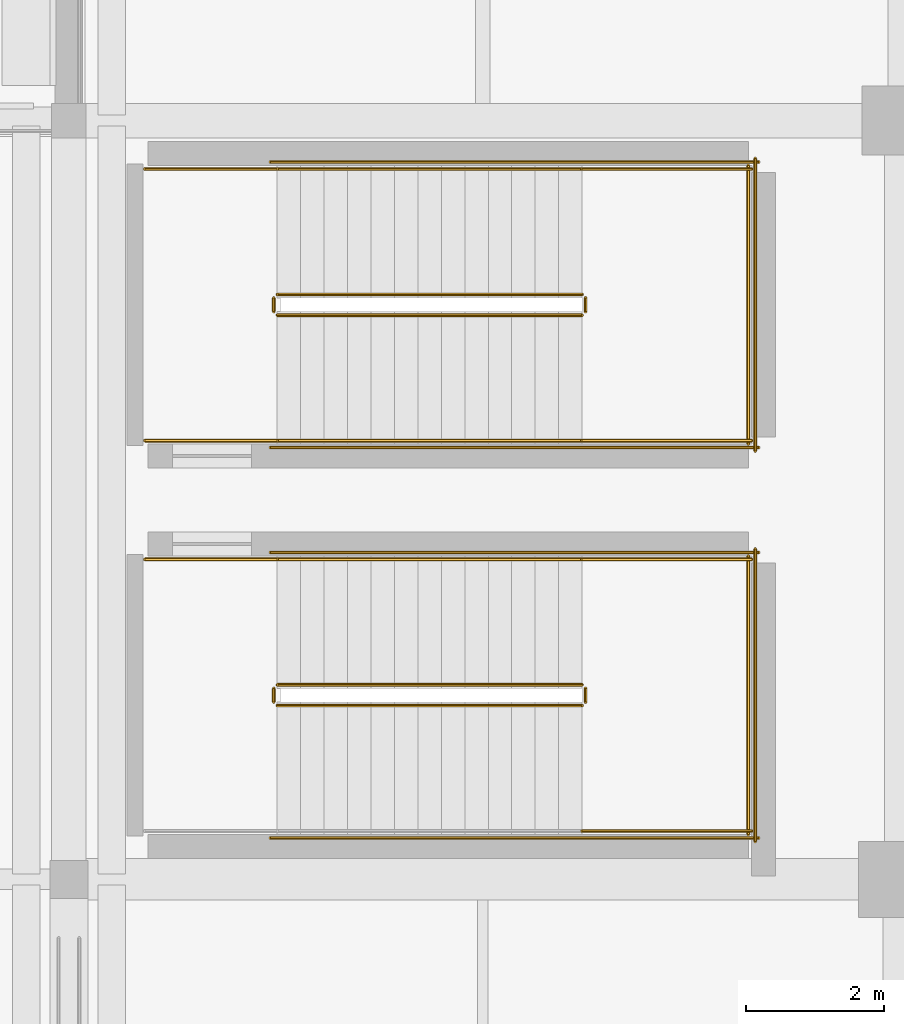
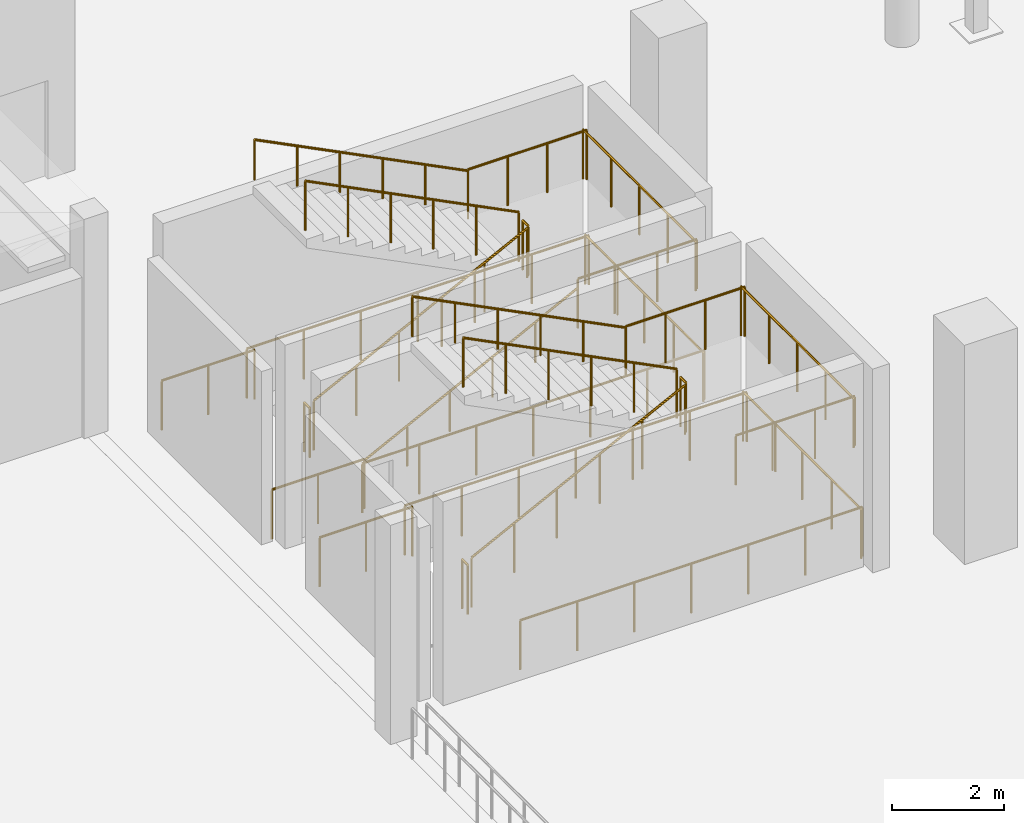
# One storey, part 122 of 143: 26 railings.
"""IFC4 building model written with IfcOpenShell, lengths in metres."""

from ifc_helpers import new_model, si_unit, direction, frame, origin, origin_2d, place, context, subcontext, project, spatial, circle, extrude, material, type_object, element, save


model = new_model("IFC4")

# Units and contexts
model_context = context("Model", 3, precision=1e-05, world=origin(), true_north=direction((0.0, 1.0)))
body_context = subcontext(model_context, "Body", "Model", "MODEL_VIEW")
ifc_project = project(units=[si_unit("LENGTHUNIT", "METRE"), si_unit("AREAUNIT", "SQUARE_METRE"), si_unit("VOLUMEUNIT", "CUBIC_METRE"), si_unit("PLANEANGLEUNIT", "RADIAN"), si_unit("MASSUNIT", "GRAM", prefix="KILO")], contexts=[model_context])

# Site, building, storey
site_placement = place(None, origin())
site = spatial("IfcSite", under=ifc_project, at=site_placement, CompositionType="ELEMENT")
building_placement = place(site_placement, origin())
building = spatial("IfcBuilding", under=site, at=building_placement, Name="Luwafu Chhajja Arena", CompositionType="ELEMENT")
storey_placement = place(building_placement, frame((0.0, 0.0, 5.39990234375)))
storey = spatial("IfcBuildingStorey", under=building, at=storey_placement, Name="L01", CompositionType="ELEMENT", Elevation=5.39990234375)

# Railings
ifc_material_1 = material(Name="Stainless steel handrail", Category="steel")
railing_type_1 = type_object("IfcRailingType", Name="Stair Pitch Wall Handrail 920", PredefinedType="HANDRAIL", material=ifc_material_1)
railing_1_placement = place(storey_placement, frame((41.43994140625, 48.639892578125, 2.571533203125)))
element("IfcRailing", 1, at=railing_1_placement, inside=storey, type_object=railing_type_1, Name="L01 ST-09 stair handrail 2", PredefinedType="HANDRAIL", context=body_context, shape_type="SweptSolid", body=[
    extrude(circle(Radius=0.02392578125, at=origin_2d()), frame((0.0, 0.0, 0.8759765625), z_axis=(-0.89292277971, 0.0, 0.450209850486), x_axis=(0.0, -1.0, 0.0)), (0.0, 0.0, 1.0), 4.949951171875),
    extrude(circle(Radius=0.02099609375, at=origin_2d()), origin(), (0.0, 0.0, 1.0), 0.851806640625),
    extrude(circle(Radius=0.02099609375, at=origin_2d()), frame((-0.884033203125, 0.0, 0.44580078125)), (0.0, 0.0, 1.0), 0.851806640625),
    extrude(circle(Radius=0.02099609375, at=origin_2d()), frame((-1.76806640625, 0.0, 0.891357421875)), (0.0, 0.0, 1.0), 0.851806640625),
    extrude(circle(Radius=0.02099609375, at=origin_2d()), frame((-2.65185546875, 0.0, 1.337158203125)), (0.0, 0.0, 1.0), 0.851806640625),
    extrude(circle(Radius=0.02099609375, at=origin_2d()), frame((-3.535888671875, 0.0, 1.78271484375)), (0.0, 0.0, 1.0), 0.851806640625),
    extrude(circle(Radius=0.02099609375, at=origin_2d()), frame((-4.419921875, 0.0, 2.228515625)), (0.0, 0.0, 1.0), 0.851806640625),
])
railing_2_placement = place(storey_placement, frame((37.02001953125, 50.360107421875, 0.171630859375)))
element("IfcRailing", 2, at=railing_2_placement, inside=storey, type_object=railing_type_1, Name="L01 ST-10 stair handrail 1", PredefinedType="HANDRAIL", context=body_context, shape_type="SweptSolid", body=[
    extrude(circle(Radius=0.02392578125, at=origin_2d()), frame((0.0, 0.0, 0.8759765625), z_axis=(0.89292277971, 0.0, 0.450209850486), x_axis=(0.0, 1.0, 0.0)), (0.0, 0.0, 1.0), 4.949951171875),
    extrude(circle(Radius=0.02099609375, at=origin_2d()), origin(), (0.0, 0.0, 1.0), 0.851806640625),
    extrude(circle(Radius=0.02099609375, at=origin_2d()), frame((0.884033203125, 0.0, 0.44580078125)), (0.0, 0.0, 1.0), 0.851806640625),
    extrude(circle(Radius=0.02099609375, at=origin_2d()), frame((1.76806640625, 0.0, 0.891357421875)), (0.0, 0.0, 1.0), 0.851806640625),
    extrude(circle(Radius=0.02099609375, at=origin_2d()), frame((2.65185546875, 0.0, 1.337158203125)), (0.0, 0.0, 1.0), 0.851806640625),
    extrude(circle(Radius=0.02099609375, at=origin_2d()), frame((3.535888671875, 0.0, 1.78271484375)), (0.0, 0.0, 1.0), 0.851806640625),
    extrude(circle(Radius=0.02099609375, at=origin_2d()), frame((4.419921875, 0.0, 2.228515625)), (0.0, 0.0, 1.0), 0.851806640625),
])
railing_3_placement = place(storey_placement, frame((41.43994140625, 54.300048828125, 2.571533203125)))
element("IfcRailing", 3, at=railing_3_placement, inside=storey, type_object=railing_type_1, Name="L01 ST-10 stair handrail 2", PredefinedType="HANDRAIL", context=body_context, shape_type="SweptSolid", body=[
    extrude(circle(Radius=0.02392578125, at=origin_2d()), frame((0.0, 0.0, 0.8759765625), z_axis=(-0.89292277971, 0.0, 0.450209850486), x_axis=(0.0, -1.0, 0.0)), (0.0, 0.0, 1.0), 4.949951171875),
    extrude(circle(Radius=0.02099609375, at=origin_2d()), origin(), (0.0, 0.0, 1.0), 0.851806640625),
    extrude(circle(Radius=0.02099609375, at=origin_2d()), frame((-0.884033203125, 0.0, 0.44580078125)), (0.0, 0.0, 1.0), 0.851806640625),
    extrude(circle(Radius=0.02099609375, at=origin_2d()), frame((-1.76806640625, 0.0, 0.891357421875)), (0.0, 0.0, 1.0), 0.851806640625),
    extrude(circle(Radius=0.02099609375, at=origin_2d()), frame((-2.65185546875, 0.0, 1.337158203125)), (0.0, 0.0, 1.0), 0.851806640625),
    extrude(circle(Radius=0.02099609375, at=origin_2d()), frame((-3.535888671875, 0.0, 1.78271484375)), (0.0, 0.0, 1.0), 0.851806640625),
    extrude(circle(Radius=0.02099609375, at=origin_2d()), frame((-4.419921875, 0.0, 2.228515625)), (0.0, 0.0, 1.0), 0.851806640625),
])
ifc_material_2 = material(Name="Stainless steel balustrade", Category="steel")
railing_type_2 = type_object("IfcRailingType", Name="Stair and Terrace Guard Balustrade 1100", PredefinedType="BALUSTRADE", material=ifc_material_2)
railing_4_placement = place(storey_placement, frame((37.02001953125, 46.52001953125, 0.171630859375)))
element("IfcRailing", 4, at=railing_4_placement, inside=storey, type_object=railing_type_2, Name="L01 ST-09 stair guard 1", PredefinedType="BALUSTRADE", context=body_context, shape_type="SweptSolid", body=[
    extrude(circle(Radius=0.02392578125, at=origin_2d()), frame((0.0, 0.0, 1.076171875), z_axis=(0.89292277971, 0.0, 0.450209850486), x_axis=(0.0, 1.0, 0.0)), (0.0, 0.0, 1.0), 4.949951171875),
    extrude(circle(Radius=0.02099609375, at=origin_2d()), origin(), (0.0, 0.0, 1.0), 1.052001953125),
    extrude(circle(Radius=0.02099609375, at=origin_2d()), frame((0.884033203125, 0.0, 0.44580078125)), (0.0, 0.0, 1.0), 1.052001953125),
    extrude(circle(Radius=0.02099609375, at=origin_2d()), frame((1.76806640625, 0.0, 0.891357421875)), (0.0, 0.0, 1.0), 1.052001953125),
    extrude(circle(Radius=0.02099609375, at=origin_2d()), frame((2.65185546875, 0.0, 1.337158203125)), (0.0, 0.0, 1.0), 1.052001953125),
    extrude(circle(Radius=0.02099609375, at=origin_2d()), frame((3.535888671875, 0.0, 1.78271484375)), (0.0, 0.0, 1.0), 1.052001953125),
    extrude(circle(Radius=0.02099609375, at=origin_2d()), frame((4.419921875, 0.0, 2.228515625)), (0.0, 0.0, 1.0), 1.052001953125),
])
railing_5_placement = place(storey_placement, frame((41.489990234375, 46.570068359375, 2.400146484375)))
element("IfcRailing", 5, at=railing_5_placement, inside=storey, type_object=railing_type_2, Name="L01 ST-09 stair guard 2", PredefinedType="BALUSTRADE", context=body_context, shape_type="SweptSolid", body=[
    extrude(circle(Radius=0.02392578125, at=origin_2d()), frame((0.0, 0.0, 1.076171875), z_axis=(0.0, 1.0, 0.0), x_axis=(-1.0, 0.0, 0.0)), (0.0, 0.0, 1.0), 0.199951171875),
    extrude(circle(Radius=0.02099609375, at=origin_2d()), origin(), (0.0, 0.0, 1.0), 1.052001953125),
    extrude(circle(Radius=0.02099609375, at=origin_2d()), frame((0.0, 0.199951171875, 0.0)), (0.0, 0.0, 1.0), 1.052001953125),
])
for number, where, name in (
    (6, (41.43994140625, 44.699951171875, 2.400146484375), "L01 ST-09 stair guard 3"),
    (7, (41.43994140625, 48.639892578125, 2.400146484375), "L01 ST-09 stair guard 4"),
):
    element("IfcRailing", number, at=place(storey_placement, frame(where)), inside=storey, type_object=railing_type_2, Name=name, PredefinedType="BALUSTRADE", context=body_context, shape_type="SweptSolid", body=[
        extrude(circle(Radius=0.02392578125, at=origin_2d()), frame((0.0, 0.0, 1.076171875), z_axis=(1.0, 0.0, 0.0), x_axis=(0.0, 1.0, 0.0)), (0.0, 0.0, 1.0), 2.4599609375),
        extrude(circle(Radius=0.02099609375, at=origin_2d()), origin(), (0.0, 0.0, 1.0), 1.052001953125),
        extrude(circle(Radius=0.02099609375, at=origin_2d()), frame((0.820068359375, 0.0, 0.0)), (0.0, 0.0, 1.0), 1.052001953125),
        extrude(circle(Radius=0.02099609375, at=origin_2d()), frame((1.639892578125, 0.0, 0.0)), (0.0, 0.0, 1.0), 1.052001953125),
        extrude(circle(Radius=0.02099609375, at=origin_2d()), frame((2.4599609375, 0.0, 0.0)), (0.0, 0.0, 1.0), 1.052001953125),
    ])
railing_6_placement = place(storey_placement, frame((43.85009765625, 44.64990234375, 2.400146484375)))
element("IfcRailing", 8, at=railing_6_placement, inside=storey, type_object=railing_type_2, Name="L01 ST-09 stair guard 5", PredefinedType="BALUSTRADE", context=body_context, shape_type="SweptSolid", body=[
    extrude(circle(Radius=0.02392578125, at=origin_2d()), frame((0.0, 0.0, 1.076171875), z_axis=(0.0, 1.0, 0.0), x_axis=(-1.0, 0.0, 0.0)), (0.0, 0.0, 1.0), 4.0400390625),
    extrude(circle(Radius=0.02099609375, at=origin_2d()), origin(), (0.0, 0.0, 1.0), 1.052001953125),
    extrude(circle(Radius=0.02099609375, at=origin_2d()), frame((0.0, 1.010009765625, 0.0)), (0.0, 0.0, 1.0), 1.052001953125),
    extrude(circle(Radius=0.02099609375, at=origin_2d()), frame((0.0, 2.02001953125, 0.0)), (0.0, 0.0, 1.0), 1.052001953125),
    extrude(circle(Radius=0.02099609375, at=origin_2d()), frame((0.0, 3.030029296875, 0.0)), (0.0, 0.0, 1.0), 1.052001953125),
    extrude(circle(Radius=0.02099609375, at=origin_2d()), frame((0.0, 4.0400390625, 0.0)), (0.0, 0.0, 1.0), 1.052001953125),
])
railing_7_placement = place(storey_placement, frame((41.43994140625, 46.820068359375, 2.571533203125)))
element("IfcRailing", 9, at=railing_7_placement, inside=storey, type_object=railing_type_2, Name="L01 ST-09 stair guard 6", PredefinedType="BALUSTRADE", context=body_context, shape_type="SweptSolid", body=[
    extrude(circle(Radius=0.02392578125, at=origin_2d()), frame((0.0, 0.0, 1.076171875), z_axis=(-0.89292277971, 0.0, 0.450209850486), x_axis=(0.0, -1.0, 0.0)), (0.0, 0.0, 1.0), 4.949951171875),
    extrude(circle(Radius=0.02099609375, at=origin_2d()), origin(), (0.0, 0.0, 1.0), 1.052001953125),
    extrude(circle(Radius=0.02099609375, at=origin_2d()), frame((-0.884033203125, 0.0, 0.44580078125)), (0.0, 0.0, 1.0), 1.052001953125),
    extrude(circle(Radius=0.02099609375, at=origin_2d()), frame((-1.76806640625, 0.0, 0.891357421875)), (0.0, 0.0, 1.0), 1.052001953125),
    extrude(circle(Radius=0.02099609375, at=origin_2d()), frame((-2.65185546875, 0.0, 1.337158203125)), (0.0, 0.0, 1.0), 1.052001953125),
    extrude(circle(Radius=0.02099609375, at=origin_2d()), frame((-3.535888671875, 0.0, 1.78271484375)), (0.0, 0.0, 1.0), 1.052001953125),
    extrude(circle(Radius=0.02099609375, at=origin_2d()), frame((-4.419921875, 0.0, 2.228515625)), (0.0, 0.0, 1.0), 1.052001953125),
])
railing_8_placement = place(storey_placement, frame((36.969970703125, 46.570068359375, 0.0)))
element("IfcRailing", 10, at=railing_8_placement, inside=storey, type_object=railing_type_2, Name="L01 ST-09 stair guard 7", PredefinedType="BALUSTRADE", context=body_context, shape_type="SweptSolid", body=[
    extrude(circle(Radius=0.02392578125, at=origin_2d()), frame((0.0, 0.0, 1.076171875), z_axis=(0.0, 1.0, 0.0), x_axis=(-1.0, 0.0, 0.0)), (0.0, 0.0, 1.0), 0.199951171875),
    extrude(circle(Radius=0.02099609375, at=origin_2d()), origin(), (0.0, 0.0, 1.0), 1.052001953125),
    extrude(circle(Radius=0.02099609375, at=origin_2d()), frame((0.0, 0.199951171875, 0.0)), (0.0, 0.0, 1.0), 1.052001953125),
])
railing_9_placement = place(storey_placement, frame((35.10009765625, 48.639892578125, 0.0)))
element("IfcRailing", 11, at=railing_9_placement, inside=storey, type_object=railing_type_2, Name="L01 ST-09 stair guard 9", PredefinedType="BALUSTRADE", context=body_context, shape_type="SweptSolid", body=[
    extrude(circle(Radius=0.02392578125, at=origin_2d()), frame((0.0, 0.0, 1.076171875), z_axis=(1.0, 0.0, 0.0), x_axis=(0.0, 1.0, 0.0)), (0.0, 0.0, 1.0), 1.919921875),
    extrude(circle(Radius=0.02099609375, at=origin_2d()), origin(), (0.0, 0.0, 1.0), 1.052001953125),
    extrude(circle(Radius=0.02099609375, at=origin_2d()), frame((0.9599609375, 0.0, 0.0)), (0.0, 0.0, 1.0), 1.052001953125),
    extrude(circle(Radius=0.02099609375, at=origin_2d()), frame((1.919921875, 0.0, 0.0)), (0.0, 0.0, 1.0), 1.052001953125),
])
for number, where, name in (
    (12, (36.919921875, 44.60009765625, 0.0), "L01 ST-09 stair guard 10"),
    (13, (36.919921875, 48.739990234375, 0.0), "L01 ST-09 stair guard 11"),
):
    element("IfcRailing", number, at=place(storey_placement, frame(where)), inside=storey, type_object=railing_type_2, Name=name, PredefinedType="BALUSTRADE", context=body_context, shape_type="SweptSolid", body=[
        extrude(circle(Radius=0.02392578125, at=origin_2d()), frame((0.0, 0.0, 1.076171875), z_axis=(1.0, 0.0, 0.0), x_axis=(0.0, 1.0, 0.0)), (0.0, 0.0, 1.0), 7.080078125),
        extrude(circle(Radius=0.02099609375, at=origin_2d()), origin(), (0.0, 0.0, 1.0), 1.052001953125),
        extrude(circle(Radius=0.02099609375, at=origin_2d()), frame((1.179931640625, 0.0, 0.0)), (0.0, 0.0, 1.0), 1.052001953125),
        extrude(circle(Radius=0.02099609375, at=origin_2d()), frame((2.360107421875, 0.0, 0.0)), (0.0, 0.0, 1.0), 1.052001953125),
        extrude(circle(Radius=0.02099609375, at=origin_2d()), frame((3.5400390625, 0.0, 0.0)), (0.0, 0.0, 1.0), 1.052001953125),
        extrude(circle(Radius=0.02099609375, at=origin_2d()), frame((4.719970703125, 0.0, 0.0)), (0.0, 0.0, 1.0), 1.052001953125),
        extrude(circle(Radius=0.02099609375, at=origin_2d()), frame((5.900146484375, 0.0, 0.0)), (0.0, 0.0, 1.0), 1.052001953125),
        extrude(circle(Radius=0.02099609375, at=origin_2d()), frame((7.080078125, 0.0, 0.0)), (0.0, 0.0, 1.0), 1.052001953125),
    ])
railing_10_placement = place(storey_placement, frame((43.949951171875, 44.550048828125, 0.0)))
element("IfcRailing", 14, at=railing_10_placement, inside=storey, type_object=railing_type_2, Name="L01 ST-09 stair guard 12", PredefinedType="BALUSTRADE", context=body_context, shape_type="SweptSolid", body=[
    extrude(circle(Radius=0.02392578125, at=origin_2d()), frame((0.0, 0.0, 1.076171875), z_axis=(0.0, 1.0, 0.0), x_axis=(-1.0, 0.0, 0.0)), (0.0, 0.0, 1.0), 4.239990234375),
    extrude(circle(Radius=0.02099609375, at=origin_2d()), origin(), (0.0, 0.0, 1.0), 1.052001953125),
    extrude(circle(Radius=0.02099609375, at=origin_2d()), frame((0.0, 1.06005859375, 0.0)), (0.0, 0.0, 1.0), 1.052001953125),
    extrude(circle(Radius=0.02099609375, at=origin_2d()), frame((0.0, 2.1201171875, 0.0)), (0.0, 0.0, 1.0), 1.052001953125),
    extrude(circle(Radius=0.02099609375, at=origin_2d()), frame((0.0, 3.179931640625, 0.0)), (0.0, 0.0, 1.0), 1.052001953125),
    extrude(circle(Radius=0.02099609375, at=origin_2d()), frame((0.0, 4.239990234375, 0.0)), (0.0, 0.0, 1.0), 1.052001953125),
])
railing_11_placement = place(storey_placement, frame((37.02001953125, 52.179931640625, 0.171630859375)))
element("IfcRailing", 15, at=railing_11_placement, inside=storey, type_object=railing_type_2, Name="L01 ST-10 stair guard 1", PredefinedType="BALUSTRADE", context=body_context, shape_type="SweptSolid", body=[
    extrude(circle(Radius=0.02392578125, at=origin_2d()), frame((0.0, 0.0, 1.076171875), z_axis=(0.89292277971, 0.0, 0.450209850486), x_axis=(0.0, 1.0, 0.0)), (0.0, 0.0, 1.0), 4.949951171875),
    extrude(circle(Radius=0.02099609375, at=origin_2d()), origin(), (0.0, 0.0, 1.0), 1.052001953125),
    extrude(circle(Radius=0.02099609375, at=origin_2d()), frame((0.884033203125, 0.0, 0.44580078125)), (0.0, 0.0, 1.0), 1.052001953125),
    extrude(circle(Radius=0.02099609375, at=origin_2d()), frame((1.76806640625, 0.0, 0.891357421875)), (0.0, 0.0, 1.0), 1.052001953125),
    extrude(circle(Radius=0.02099609375, at=origin_2d()), frame((2.65185546875, 0.0, 1.337158203125)), (0.0, 0.0, 1.0), 1.052001953125),
    extrude(circle(Radius=0.02099609375, at=origin_2d()), frame((3.535888671875, 0.0, 1.78271484375)), (0.0, 0.0, 1.0), 1.052001953125),
    extrude(circle(Radius=0.02099609375, at=origin_2d()), frame((4.419921875, 0.0, 2.228515625)), (0.0, 0.0, 1.0), 1.052001953125),
])
railing_12_placement = place(storey_placement, frame((41.489990234375, 52.22998046875, 2.400146484375)))
element("IfcRailing", 16, at=railing_12_placement, inside=storey, type_object=railing_type_2, Name="L01 ST-10 stair guard 2", PredefinedType="BALUSTRADE", context=body_context, shape_type="SweptSolid", body=[
    extrude(circle(Radius=0.02392578125, at=origin_2d()), frame((0.0, 0.0, 1.076171875), z_axis=(0.0, 1.0, 0.0), x_axis=(-1.0, 0.0, 0.0)), (0.0, 0.0, 1.0), 0.199951171875),
    extrude(circle(Radius=0.02099609375, at=origin_2d()), origin(), (0.0, 0.0, 1.0), 1.052001953125),
    extrude(circle(Radius=0.02099609375, at=origin_2d()), frame((0.0, 0.199951171875, 0.0)), (0.0, 0.0, 1.0), 1.052001953125),
])
for number, where, name in (
    (17, (41.43994140625, 50.360107421875, 2.400146484375), "L01 ST-10 stair guard 3"),
    (18, (41.43994140625, 54.300048828125, 2.400146484375), "L01 ST-10 stair guard 4"),
):
    element("IfcRailing", number, at=place(storey_placement, frame(where)), inside=storey, type_object=railing_type_2, Name=name, PredefinedType="BALUSTRADE", context=body_context, shape_type="SweptSolid", body=[
        extrude(circle(Radius=0.02392578125, at=origin_2d()), frame((0.0, 0.0, 1.076171875), z_axis=(1.0, 0.0, 0.0), x_axis=(0.0, 1.0, 0.0)), (0.0, 0.0, 1.0), 2.4599609375),
        extrude(circle(Radius=0.02099609375, at=origin_2d()), origin(), (0.0, 0.0, 1.0), 1.052001953125),
        extrude(circle(Radius=0.02099609375, at=origin_2d()), frame((0.820068359375, 0.0, 0.0)), (0.0, 0.0, 1.0), 1.052001953125),
        extrude(circle(Radius=0.02099609375, at=origin_2d()), frame((1.639892578125, 0.0, 0.0)), (0.0, 0.0, 1.0), 1.052001953125),
        extrude(circle(Radius=0.02099609375, at=origin_2d()), frame((2.4599609375, 0.0, 0.0)), (0.0, 0.0, 1.0), 1.052001953125),
    ])
railing_13_placement = place(storey_placement, frame((43.85009765625, 50.31005859375, 2.400146484375)))
element("IfcRailing", 19, at=railing_13_placement, inside=storey, type_object=railing_type_2, Name="L01 ST-10 stair guard 5", PredefinedType="BALUSTRADE", context=body_context, shape_type="SweptSolid", body=[
    extrude(circle(Radius=0.02392578125, at=origin_2d()), frame((0.0, 0.0, 1.076171875), z_axis=(0.0, 1.0, 0.0), x_axis=(-1.0, 0.0, 0.0)), (0.0, 0.0, 1.0), 4.0400390625),
    extrude(circle(Radius=0.02099609375, at=origin_2d()), origin(), (0.0, 0.0, 1.0), 1.052001953125),
    extrude(circle(Radius=0.02099609375, at=origin_2d()), frame((0.0, 1.010009765625, 0.0)), (0.0, 0.0, 1.0), 1.052001953125),
    extrude(circle(Radius=0.02099609375, at=origin_2d()), frame((0.0, 2.02001953125, 0.0)), (0.0, 0.0, 1.0), 1.052001953125),
    extrude(circle(Radius=0.02099609375, at=origin_2d()), frame((0.0, 3.030029296875, 0.0)), (0.0, 0.0, 1.0), 1.052001953125),
    extrude(circle(Radius=0.02099609375, at=origin_2d()), frame((0.0, 4.0400390625, 0.0)), (0.0, 0.0, 1.0), 1.052001953125),
])
railing_14_placement = place(storey_placement, frame((41.43994140625, 52.47998046875, 2.571533203125)))
element("IfcRailing", 20, at=railing_14_placement, inside=storey, type_object=railing_type_2, Name="L01 ST-10 stair guard 6", PredefinedType="BALUSTRADE", context=body_context, shape_type="SweptSolid", body=[
    extrude(circle(Radius=0.02392578125, at=origin_2d()), frame((0.0, 0.0, 1.076171875), z_axis=(-0.89292277971, 0.0, 0.450209850486), x_axis=(0.0, -1.0, 0.0)), (0.0, 0.0, 1.0), 4.949951171875),
    extrude(circle(Radius=0.02099609375, at=origin_2d()), origin(), (0.0, 0.0, 1.0), 1.052001953125),
    extrude(circle(Radius=0.02099609375, at=origin_2d()), frame((-0.884033203125, 0.0, 0.44580078125)), (0.0, 0.0, 1.0), 1.052001953125),
    extrude(circle(Radius=0.02099609375, at=origin_2d()), frame((-1.76806640625, 0.0, 0.891357421875)), (0.0, 0.0, 1.0), 1.052001953125),
    extrude(circle(Radius=0.02099609375, at=origin_2d()), frame((-2.65185546875, 0.0, 1.337158203125)), (0.0, 0.0, 1.0), 1.052001953125),
    extrude(circle(Radius=0.02099609375, at=origin_2d()), frame((-3.535888671875, 0.0, 1.78271484375)), (0.0, 0.0, 1.0), 1.052001953125),
    extrude(circle(Radius=0.02099609375, at=origin_2d()), frame((-4.419921875, 0.0, 2.228515625)), (0.0, 0.0, 1.0), 1.052001953125),
])
railing_15_placement = place(storey_placement, frame((36.969970703125, 52.22998046875, 0.0)))
element("IfcRailing", 21, at=railing_15_placement, inside=storey, type_object=railing_type_2, Name="L01 ST-10 stair guard 7", PredefinedType="BALUSTRADE", context=body_context, shape_type="SweptSolid", body=[
    extrude(circle(Radius=0.02392578125, at=origin_2d()), frame((0.0, 0.0, 1.076171875), z_axis=(0.0, 1.0, 0.0), x_axis=(-1.0, 0.0, 0.0)), (0.0, 0.0, 1.0), 0.199951171875),
    extrude(circle(Radius=0.02099609375, at=origin_2d()), origin(), (0.0, 0.0, 1.0), 1.052001953125),
    extrude(circle(Radius=0.02099609375, at=origin_2d()), frame((0.0, 0.199951171875, 0.0)), (0.0, 0.0, 1.0), 1.052001953125),
])
for number, where, name in (
    (22, (35.10009765625, 50.360107421875, 0.0), "L01 ST-10 stair guard 8"),
    (23, (35.10009765625, 54.300048828125, 0.0), "L01 ST-10 stair guard 9"),
):
    element("IfcRailing", number, at=place(storey_placement, frame(where)), inside=storey, type_object=railing_type_2, Name=name, PredefinedType="BALUSTRADE", context=body_context, shape_type="SweptSolid", body=[
        extrude(circle(Radius=0.02392578125, at=origin_2d()), frame((0.0, 0.0, 1.076171875), z_axis=(1.0, 0.0, 0.0), x_axis=(0.0, 1.0, 0.0)), (0.0, 0.0, 1.0), 1.919921875),
        extrude(circle(Radius=0.02099609375, at=origin_2d()), origin(), (0.0, 0.0, 1.0), 1.052001953125),
        extrude(circle(Radius=0.02099609375, at=origin_2d()), frame((0.9599609375, 0.0, 0.0)), (0.0, 0.0, 1.0), 1.052001953125),
        extrude(circle(Radius=0.02099609375, at=origin_2d()), frame((1.919921875, 0.0, 0.0)), (0.0, 0.0, 1.0), 1.052001953125),
    ])
for number, where, name in (
    (24, (36.919921875, 50.260009765625, 0.0), "L01 ST-10 stair guard 10"),
    (25, (36.919921875, 54.39990234375, 0.0), "L01 ST-10 stair guard 11"),
):
    element("IfcRailing", number, at=place(storey_placement, frame(where)), inside=storey, type_object=railing_type_2, Name=name, PredefinedType="BALUSTRADE", context=body_context, shape_type="SweptSolid", body=[
        extrude(circle(Radius=0.02392578125, at=origin_2d()), frame((0.0, 0.0, 1.076171875), z_axis=(1.0, 0.0, 0.0), x_axis=(0.0, 1.0, 0.0)), (0.0, 0.0, 1.0), 7.080078125),
        extrude(circle(Radius=0.02099609375, at=origin_2d()), origin(), (0.0, 0.0, 1.0), 1.052001953125),
        extrude(circle(Radius=0.02099609375, at=origin_2d()), frame((1.179931640625, 0.0, 0.0)), (0.0, 0.0, 1.0), 1.052001953125),
        extrude(circle(Radius=0.02099609375, at=origin_2d()), frame((2.360107421875, 0.0, 0.0)), (0.0, 0.0, 1.0), 1.052001953125),
        extrude(circle(Radius=0.02099609375, at=origin_2d()), frame((3.5400390625, 0.0, 0.0)), (0.0, 0.0, 1.0), 1.052001953125),
        extrude(circle(Radius=0.02099609375, at=origin_2d()), frame((4.719970703125, 0.0, 0.0)), (0.0, 0.0, 1.0), 1.052001953125),
        extrude(circle(Radius=0.02099609375, at=origin_2d()), frame((5.900146484375, 0.0, 0.0)), (0.0, 0.0, 1.0), 1.052001953125),
        extrude(circle(Radius=0.02099609375, at=origin_2d()), frame((7.080078125, 0.0, 0.0)), (0.0, 0.0, 1.0), 1.052001953125),
    ])
railing_16_placement = place(storey_placement, frame((43.949951171875, 50.2099609375, 0.0)))
element("IfcRailing", 26, at=railing_16_placement, inside=storey, type_object=railing_type_2, Name="L01 ST-10 stair guard 12", PredefinedType="BALUSTRADE", context=body_context, shape_type="SweptSolid", body=[
    extrude(circle(Radius=0.02392578125, at=origin_2d()), frame((0.0, 0.0, 1.076171875), z_axis=(0.0, 1.0, 0.0), x_axis=(-1.0, 0.0, 0.0)), (0.0, 0.0, 1.0), 4.239990234375),
    extrude(circle(Radius=0.02099609375, at=origin_2d()), origin(), (0.0, 0.0, 1.0), 1.052001953125),
    extrude(circle(Radius=0.02099609375, at=origin_2d()), frame((0.0, 1.06005859375, 0.0)), (0.0, 0.0, 1.0), 1.052001953125),
    extrude(circle(Radius=0.02099609375, at=origin_2d()), frame((0.0, 2.1201171875, 0.0)), (0.0, 0.0, 1.0), 1.052001953125),
    extrude(circle(Radius=0.02099609375, at=origin_2d()), frame((0.0, 3.179931640625, 0.0)), (0.0, 0.0, 1.0), 1.052001953125),
    extrude(circle(Radius=0.02099609375, at=origin_2d()), frame((0.0, 4.239990234375, 0.0)), (0.0, 0.0, 1.0), 1.052001953125),
])

save(model, "model.ifc")
